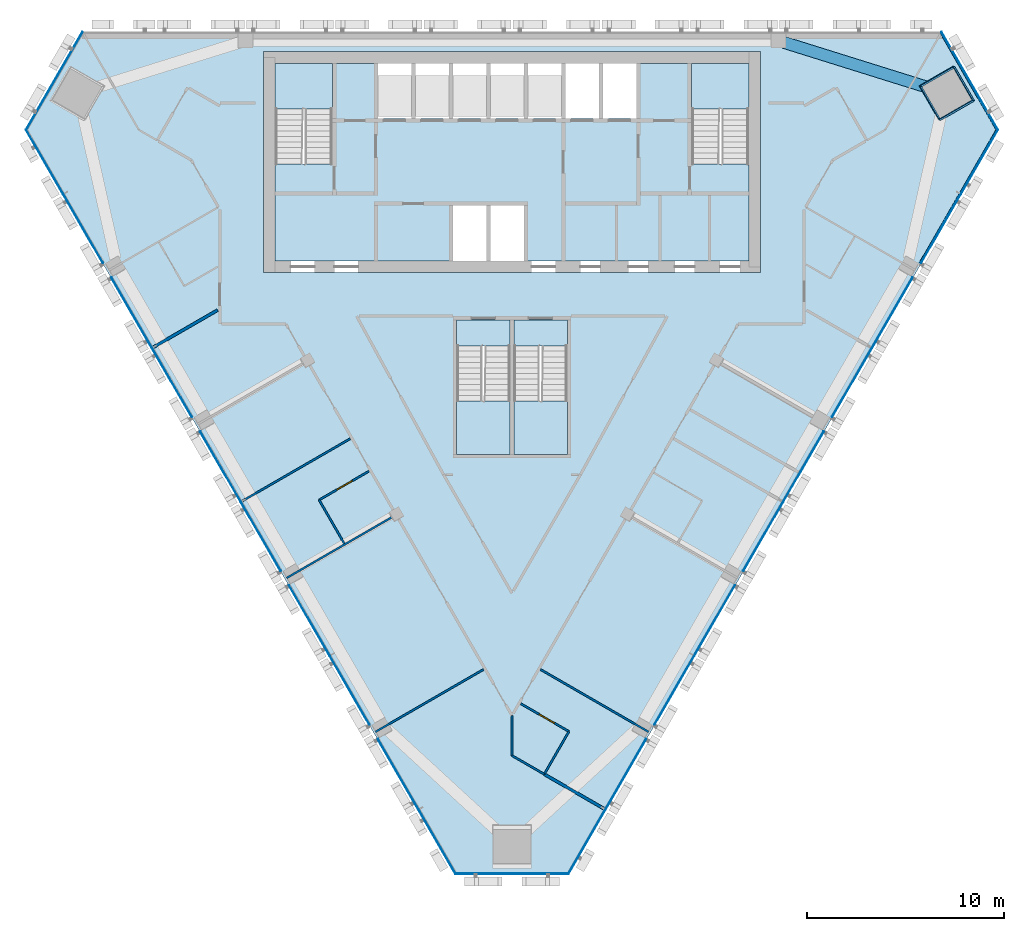
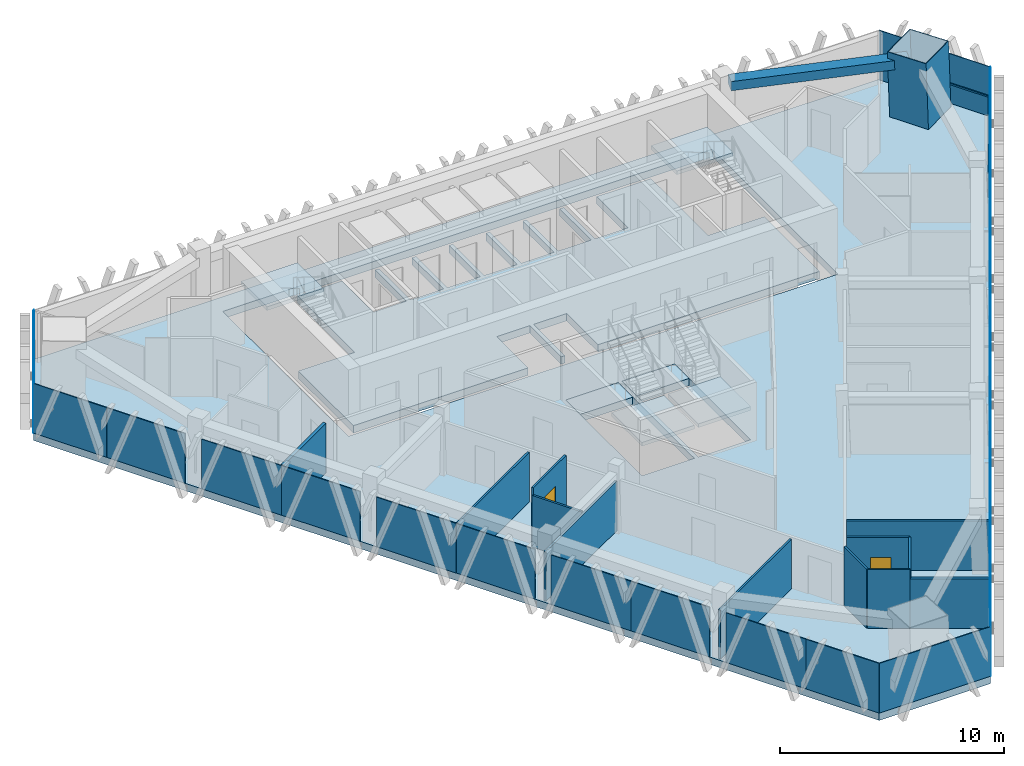
# One storey, part 7 of 14: 23 plates, 12 walls, 8 slabs, 3 members, 2 doors, 1 beam, 2 openings, 9 elements without a shape of their own.
"""IFC4 building model written with IfcOpenShell, lengths in metres."""

from ifc_helpers import new_model, si_unit, direction, frame, frame_2d, origin, origin_2d, place, context, subcontext, project, spatial, polyline, rectangle, hollow_rectangle, outline, extrude, material, layer, layer_set, material_profile, profile_set, type_object, element, fill, aggregate, save


model = new_model("IFC4")

# Units and contexts
model_context = context("Model", 3, precision=1e-05, world=origin(), true_north=direction((0.0, 1.0)))
body_context = subcontext(model_context, "Body", "Model", "MODEL_VIEW")
ifc_project = project(units=[si_unit("LENGTHUNIT", "METRE"), si_unit("AREAUNIT", "SQUARE_METRE"), si_unit("VOLUMEUNIT", "CUBIC_METRE"), si_unit("PLANEANGLEUNIT", "RADIAN"), si_unit("MASSUNIT", "GRAM", prefix="KILO")], contexts=[model_context])

# Site, building, storey
site_placement = place(None, origin())
site = spatial("IfcSite", under=ifc_project, at=site_placement, CompositionType="ELEMENT")
building_placement = place(site_placement, origin())
building = spatial("IfcBuilding", under=site, at=building_placement, Name="Altiplano Prism Tower", CompositionType="ELEMENT")
storey_placement = place(building_placement, frame((0.0, 0.0, 226.60009765625)))
storey = spatial("IfcBuildingStorey", under=building, at=storey_placement, Name="L58", CompositionType="ELEMENT", Elevation=226.60009765625)

# Curtain wall, member
ifc_material_1 = material(Name="Aluminium and glass", Category="aluminium")
ifc_layer_1 = layer(ifc_material_1, 0.280029296875)
ifc_layer_set_1 = layer_set([ifc_layer_1], Name="Aluminium and glass")
curtain_wall_type = type_object("IfcCurtainWallType", Name="CW1 typical co-living unitised curtain wall", PredefinedType="NOTDEFINED", material=ifc_layer_set_1)
curtain_wall_1_placement = place(storey_placement, origin())
curtain_wall_1 = element("IfcCurtainWall", 1, at=curtain_wall_1_placement, inside=storey, type_object=curtain_wall_type, Name="CW1 curtain wall south-east face L58", PredefinedType="NOTDEFINED")
ifc_material_2 = material(Name="Aluminium", Category="aluminium")
ifc_material_profile_1 = material_profile(ifc_material_2, rectangle(XDim=0.06005859375, YDim=0.080078125, at=origin_2d()), Name="CW1 transom 80 x 60")
ifc_profile_set_1 = profile_set([ifc_material_profile_1], Name="Aluminium")
member_type_1 = type_object("IfcMemberType", Name="CW1 transom 80 x 60", PredefinedType="USERDEFINED", material=ifc_profile_set_1)
member_1_placement = place(storey_placement, frame((105.668212890625, 93.301513671875, 1.099853515625), z_axis=(0.499985626237, 0.866033702321, 0.0), x_axis=(-0.866033702321, 0.499985626237, 0.0)))
member_1 = element("IfcMember", 2, at=member_1_placement, type_object=member_type_1, Name="CW1 transom", ObjectType="TRANSOM", PredefinedType="USERDEFINED", context=body_context, shape_type="SweptSolid", body=[
    extrude(rectangle(XDim=0.06005859375, YDim=0.080078125, at=origin_2d()), origin(), (0.0, 0.0, 1.0), 7.816162109375),
])

curtain_wall_2_placement = place(storey_placement, origin())
curtain_wall_2 = element("IfcCurtainWall", 3, at=curtain_wall_2_placement, inside=storey, type_object=curtain_wall_type, Name="CW1 curtain wall north-east chamfer L58", PredefinedType="NOTDEFINED")
member_2_placement = place(storey_placement, frame((109.576171875, 100.00048828125, 1.099853515625), z_axis=(-0.499986657325, 0.866033107044, 0.0), x_axis=(-0.866033107044, -0.499986657325, 0.0)))
member_2 = element("IfcMember", 4, at=member_2_placement, type_object=member_type_1, Name="CW1 transom", ObjectType="TRANSOM", PredefinedType="USERDEFINED", context=body_context, shape_type="SweptSolid", body=[
    extrude(rectangle(XDim=0.06005859375, YDim=0.080078125, at=origin_2d()), origin(), (0.0, 0.0, 1.0), 5.732666015625),
])

# Beam
ifc_material_3 = material(Name="Concrete C60/75", Category="concrete")
ifc_material_profile_2 = material_profile(ifc_material_3, rectangle(XDim=0.60009765625, YDim=0.5, at=origin_2d()), Name="Edge beam 600x500")
ifc_profile_set_2 = profile_set([ifc_material_profile_2], Name="Concrete C60/75")
beam_type = type_object("IfcBeamType", Name="Edge beam 600x500", PredefinedType="SPANDREL", material=ifc_profile_set_2)
beam_placement = place(storey_placement, frame((106.546142578125, 102.035400390625, 2.949951171875), z_axis=(-0.954476782576, 0.298285218412, 0.0), x_axis=(-0.298285218412, -0.954476782576, 0.0)))
element("IfcBeam", 5, at=beam_placement, inside=storey, type_object=beam_type, Name="Edge beam M2-P01 L59", PredefinedType="SPANDREL", context=body_context, shape_type="SweptSolid", body=[
    extrude(rectangle(XDim=0.60009765625, YDim=0.5, at=origin_2d()), origin(), (0.0, 0.0, 1.0), 8.156982421875),
])

# Member
ifc_material_4 = material(Name="Steel S460", Category="steel")
ifc_material_profile_3 = material_profile(ifc_material_4, hollow_rectangle(XDim=2.0, YDim=2.0, WallThickness=0.0400390625, at=origin_2d()), Name="Mega column tube 2000")
ifc_profile_set_3 = profile_set([ifc_material_profile_3], Name="Steel S460")
member_type_2 = type_object("IfcMemberType", Name="Mega column tube 2000", PredefinedType="POST", material=ifc_profile_set_3)
member_3_placement = place(storey_placement, frame((107.077880859375, 101.86767578125, 0.0), z_axis=(-0.028403721265, 0.009287135593, 0.999553389135), x_axis=(0.498883801201, -0.866383831898, 0.022226307065)))
element("IfcMember", 6, at=member_3_placement, inside=storey, type_object=member_type_2, Name="Mega column tube M2 L58", PredefinedType="POST", context=body_context, shape_type="SweptSolid", body=[
    extrude(hollow_rectangle(XDim=2.0, YDim=2.0, WallThickness=0.0400390625, at=origin_2d()), origin(), (0.0, 0.0, 1.0), 3.6015625),
])

# Curtain wall, plate
curtain_wall_3_placement = place(storey_placement, origin())
curtain_wall_3 = element("IfcCurtainWall", 7, at=curtain_wall_3_placement, inside=storey, type_object=curtain_wall_type, Name="CW1 curtain wall north-west chamfer L58", PredefinedType="NOTDEFINED")
ifc_material_5 = material(Name="Clear glass", Category="glass")
ifc_layer_2 = layer(ifc_material_5, 0.0400390625)
ifc_layer_set_2 = layer_set([ifc_layer_2], Name="Clear glass")
plate_type = type_object("IfcPlateType", Name="CW1 insulated glass unit 40", PredefinedType="CURTAIN_PANEL", material=ifc_layer_set_2)
plate_1_placement = place(storey_placement, frame((61.8134765625, 102.5078125, 0.0), z_axis=(0.0, 0.0, 1.0), x_axis=(-0.499999994982, -0.866025406682, 0.0)))
plate_1 = element("IfcPlate", 8, at=plate_1_placement, type_object=plate_type, Name="CW1 panel", PredefinedType="CURTAIN_PANEL", context=body_context, shape_type="SweptSolid", body=[
    extrude(rectangle(XDim=5.722412109375, YDim=0.0400390625, at=origin_2d()), origin(), (0.0, 0.0, 1.0), 2.699951171875),
])
aggregate(curtain_wall_3, [plate_1])

# Curtain wall, plates
curtain_wall_4_placement = place(storey_placement, origin())
curtain_wall_4 = element("IfcCurtainWall", 9, at=curtain_wall_4_placement, inside=storey, type_object=curtain_wall_type, Name="CW1 curtain wall south-west face L58", PredefinedType="NOTDEFINED")
plate_2_placement = place(storey_placement, frame((61.322998046875, 98.412841796875, 0.0), z_axis=(0.0, 0.0, 1.0), x_axis=(0.500000003567, -0.866025401725, 0.0)))
plate_2 = element("IfcPlate", 10, at=plate_2_placement, type_object=plate_type, Name="CW1 panel", PredefinedType="CURTAIN_PANEL", context=body_context, shape_type="SweptSolid", body=[
    extrude(rectangle(XDim=3.7607421875, YDim=0.0400390625, at=origin_2d()), origin(), (0.0, 0.0, 1.0), 2.699951171875),
])
plate_3_placement = place(storey_placement, frame((63.277099609375, 95.0283203125, 0.0), z_axis=(0.0, 0.0, 1.0), x_axis=(0.500000003567, -0.866025401725, 0.0)))
plate_3 = element("IfcPlate", 11, at=plate_3_placement, type_object=plate_type, Name="CW1 panel", PredefinedType="CURTAIN_PANEL", context=body_context, shape_type="SweptSolid", body=[
    extrude(rectangle(XDim=4.035400390625, YDim=0.0400390625, at=origin_2d()), origin(), (0.0, 0.0, 1.0), 2.699951171875),
])
plate_4_placement = place(storey_placement, frame((65.734619140625, 90.771728515625, 0.0), z_axis=(0.0, 0.0, 1.0), x_axis=(0.500000003567, -0.866025401725, 0.0)))
plate_4 = element("IfcPlate", 12, at=plate_4_placement, type_object=plate_type, Name="CW1 panel", PredefinedType="CURTAIN_PANEL", context=body_context, shape_type="SweptSolid", body=[
    extrude(rectangle(XDim=4.114501953125, YDim=0.0400390625, at=origin_2d()), origin(), (0.0, 0.0, 1.0), 2.699951171875),
])
plate_5_placement = place(storey_placement, frame((67.777099609375, 87.234130859375, 0.0), z_axis=(0.0, 0.0, 1.0), x_axis=(0.500000003567, -0.866025401725, 0.0)))
plate_5 = element("IfcPlate", 13, at=plate_5_placement, type_object=plate_type, Name="CW1 panel", PredefinedType="CURTAIN_PANEL", context=body_context, shape_type="SweptSolid", body=[
    extrude(rectangle(XDim=4.035400390625, YDim=0.0400390625, at=origin_2d()), origin(), (0.0, 0.0, 1.0), 2.699951171875),
])
plate_6_placement = place(storey_placement, frame((70.234619140625, 82.9775390625, 0.0), z_axis=(0.0, 0.0, 1.0), x_axis=(0.500000003567, -0.866025401725, 0.0)))
plate_6 = element("IfcPlate", 14, at=plate_6_placement, type_object=plate_type, Name="CW1 panel", PredefinedType="CURTAIN_PANEL", context=body_context, shape_type="SweptSolid", body=[
    extrude(rectangle(XDim=4.114501953125, YDim=0.0400390625, at=origin_2d()), origin(), (0.0, 0.0, 1.0), 2.699951171875),
])
plate_7_placement = place(storey_placement, frame((72.277099609375, 79.43994140625, 0.0), z_axis=(0.0, 0.0, 1.0), x_axis=(0.500000003567, -0.866025401725, 0.0)))
plate_7 = element("IfcPlate", 15, at=plate_7_placement, type_object=plate_type, Name="CW1 panel", PredefinedType="CURTAIN_PANEL", context=body_context, shape_type="SweptSolid", body=[
    extrude(rectangle(XDim=4.035400390625, YDim=0.0400390625, at=origin_2d()), origin(), (0.0, 0.0, 1.0), 2.699951171875),
])
plate_8_placement = place(storey_placement, frame((74.734619140625, 75.183349609375, 0.0), z_axis=(0.0, 0.0, 1.0), x_axis=(0.500000003567, -0.866025401725, 0.0)))
plate_8 = element("IfcPlate", 16, at=plate_8_placement, type_object=plate_type, Name="CW1 panel", PredefinedType="CURTAIN_PANEL", context=body_context, shape_type="SweptSolid", body=[
    extrude(rectangle(XDim=4.114501953125, YDim=0.0400390625, at=origin_2d()), origin(), (0.0, 0.0, 1.0), 2.699951171875),
])
plate_9_placement = place(storey_placement, frame((76.777099609375, 71.645751953125, 0.0), z_axis=(0.0, 0.0, 1.0), x_axis=(0.500000003567, -0.866025401725, 0.0)))
plate_9 = element("IfcPlate", 17, at=plate_9_placement, type_object=plate_type, Name="CW1 panel", PredefinedType="CURTAIN_PANEL", context=body_context, shape_type="SweptSolid", body=[
    extrude(rectangle(XDim=4.035400390625, YDim=0.0400390625, at=origin_2d()), origin(), (0.0, 0.0, 1.0), 2.699951171875),
])
plate_10_placement = place(storey_placement, frame((79.234619140625, 67.38916015625, 0.0), z_axis=(0.0, 0.0, 1.0), x_axis=(0.500000003567, -0.866025401725, 0.0)))
plate_10 = element("IfcPlate", 18, at=plate_10_placement, type_object=plate_type, Name="CW1 panel", PredefinedType="CURTAIN_PANEL", context=body_context, shape_type="SweptSolid", body=[
    extrude(rectangle(XDim=4.114501953125, YDim=0.0400390625, at=origin_2d()), origin(), (0.0, 0.0, 1.0), 2.699951171875),
])
plate_11_placement = place(storey_placement, frame((81.20849609375, 63.970458984375, 0.0), z_axis=(0.0, 0.0, 1.0), x_axis=(0.500000003567, -0.866025401725, 0.0)))
plate_11 = element("IfcPlate", 19, at=plate_11_placement, type_object=plate_type, Name="CW1 panel", PredefinedType="CURTAIN_PANEL", context=body_context, shape_type="SweptSolid", body=[
    extrude(rectangle(XDim=3.7607421875, YDim=0.0400390625, at=origin_2d()), origin(), (0.0, 0.0, 1.0), 2.699951171875),
])
aggregate(curtain_wall_4, [plate_2, plate_3, plate_4, plate_5, plate_6, plate_7, plate_8, plate_9, plate_10, plate_11])

# Curtain wall, plate
curtain_wall_5_placement = place(storey_placement, origin())
curtain_wall_5 = element("IfcCurtainWall", 20, at=curtain_wall_5_placement, inside=storey, type_object=curtain_wall_type, Name="CW1 curtain wall south chamfer L58", PredefinedType="NOTDEFINED")
plate_12_placement = place(storey_placement, frame((85.0, 62.34765625, 0.0), z_axis=(0.0, 0.0, 1.0), x_axis=(1.0, 0.0, 0.0)))
plate_12 = element("IfcPlate", 21, at=plate_12_placement, type_object=plate_type, Name="CW1 panel", PredefinedType="CURTAIN_PANEL", context=body_context, shape_type="SweptSolid", body=[
    extrude(rectangle(XDim=5.722412109375, YDim=0.0400390625, at=origin_2d()), origin(), (0.0, 0.0, 1.0), 2.699951171875),
])
aggregate(curtain_wall_5, [plate_12])

# Plate
plate_13_placement = place(storey_placement, frame((88.79150390625, 63.970458984375, 0.0), z_axis=(0.0, 0.0, 1.0), x_axis=(0.500000003567, 0.866025401725, 0.0)))
plate_13 = element("IfcPlate", 22, at=plate_13_placement, type_object=plate_type, Name="CW1 panel", PredefinedType="CURTAIN_PANEL", context=body_context, shape_type="SweptSolid", body=[
    extrude(rectangle(XDim=3.7607421875, YDim=0.0400390625, at=origin_2d()), origin(), (0.0, 0.0, 1.0), 2.699951171875),
])

plate_14_placement = place(storey_placement, frame((90.765380859375, 67.38916015625, 0.0), z_axis=(0.0, 0.0, 1.0), x_axis=(0.500000003567, 0.866025401725, 0.0)))
plate_14 = element("IfcPlate", 23, at=plate_14_placement, type_object=plate_type, Name="CW1 panel", PredefinedType="CURTAIN_PANEL", context=body_context, shape_type="SweptSolid", body=[
    extrude(rectangle(XDim=4.114501953125, YDim=0.0400390625, at=origin_2d()), origin(), (0.0, 0.0, 1.0), 2.699951171875),
])

plate_15_placement = place(storey_placement, frame((93.222900390625, 71.645751953125, 0.0), z_axis=(0.0, 0.0, 1.0), x_axis=(0.500000003567, 0.866025401725, 0.0)))
plate_15 = element("IfcPlate", 24, at=plate_15_placement, type_object=plate_type, Name="CW1 panel", PredefinedType="CURTAIN_PANEL", context=body_context, shape_type="SweptSolid", body=[
    extrude(rectangle(XDim=4.035400390625, YDim=0.0400390625, at=origin_2d()), origin(), (0.0, 0.0, 1.0), 2.699951171875),
])

plate_16_placement = place(storey_placement, frame((95.265380859375, 75.183349609375, 0.0), z_axis=(0.0, 0.0, 1.0), x_axis=(0.500000003567, 0.866025401725, 0.0)))
plate_16 = element("IfcPlate", 25, at=plate_16_placement, type_object=plate_type, Name="CW1 panel", PredefinedType="CURTAIN_PANEL", context=body_context, shape_type="SweptSolid", body=[
    extrude(rectangle(XDim=4.114501953125, YDim=0.0400390625, at=origin_2d()), origin(), (0.0, 0.0, 1.0), 2.699951171875),
])

plate_17_placement = place(storey_placement, frame((97.722900390625, 79.43994140625, 0.0), z_axis=(0.0, 0.0, 1.0), x_axis=(0.500000003567, 0.866025401725, 0.0)))
plate_17 = element("IfcPlate", 26, at=plate_17_placement, type_object=plate_type, Name="CW1 panel", PredefinedType="CURTAIN_PANEL", context=body_context, shape_type="SweptSolid", body=[
    extrude(rectangle(XDim=4.035400390625, YDim=0.0400390625, at=origin_2d()), origin(), (0.0, 0.0, 1.0), 2.699951171875),
])

plate_18_placement = place(storey_placement, frame((99.765380859375, 82.9775390625, 0.0), z_axis=(0.0, 0.0, 1.0), x_axis=(0.500000003567, 0.866025401725, 0.0)))
plate_18 = element("IfcPlate", 27, at=plate_18_placement, type_object=plate_type, Name="CW1 panel", PredefinedType="CURTAIN_PANEL", context=body_context, shape_type="SweptSolid", body=[
    extrude(rectangle(XDim=4.114501953125, YDim=0.0400390625, at=origin_2d()), origin(), (0.0, 0.0, 1.0), 2.699951171875),
])

plate_19_placement = place(storey_placement, frame((102.222900390625, 87.234130859375, 0.0), z_axis=(0.0, 0.0, 1.0), x_axis=(0.500000003567, 0.866025401725, 0.0)))
plate_19 = element("IfcPlate", 28, at=plate_19_placement, type_object=plate_type, Name="CW1 panel", PredefinedType="CURTAIN_PANEL", context=body_context, shape_type="SweptSolid", body=[
    extrude(rectangle(XDim=4.035400390625, YDim=0.0400390625, at=origin_2d()), origin(), (0.0, 0.0, 1.0), 2.699951171875),
])

plate_20_placement = place(storey_placement, frame((104.265380859375, 90.771728515625, 0.0), z_axis=(0.0, 0.0, 1.0), x_axis=(0.500000003567, 0.866025401725, 0.0)))
plate_20 = element("IfcPlate", 29, at=plate_20_placement, type_object=plate_type, Name="CW1 panel", PredefinedType="CURTAIN_PANEL", context=body_context, shape_type="SweptSolid", body=[
    extrude(rectangle(XDim=4.114501953125, YDim=0.0400390625, at=origin_2d()), origin(), (0.0, 0.0, 1.0), 2.699951171875),
])

plate_21_placement = place(storey_placement, frame((106.722900390625, 95.0283203125, 0.0), z_axis=(0.0, 0.0, 1.0), x_axis=(0.500000003567, 0.866025401725, 0.0)))
plate_21 = element("IfcPlate", 30, at=plate_21_placement, type_object=plate_type, Name="CW1 panel", PredefinedType="CURTAIN_PANEL", context=body_context, shape_type="SweptSolid", body=[
    extrude(rectangle(XDim=4.035400390625, YDim=0.0400390625, at=origin_2d()), origin(), (0.0, 0.0, 1.0), 2.699951171875),
])

plate_22_placement = place(storey_placement, frame((108.677001953125, 98.412841796875, 0.0), z_axis=(0.0, 0.0, 1.0), x_axis=(0.500000003567, 0.866025401725, 0.0)))
plate_22 = element("IfcPlate", 31, at=plate_22_placement, type_object=plate_type, Name="CW1 panel", PredefinedType="CURTAIN_PANEL", context=body_context, shape_type="SweptSolid", body=[
    extrude(rectangle(XDim=3.7607421875, YDim=0.0400390625, at=origin_2d()), origin(), (0.0, 0.0, 1.0), 2.699951171875),
])

aggregate(curtain_wall_1, [plate_13, plate_14, plate_15, plate_16, plate_17, plate_18, plate_19, plate_20, member_1, plate_21, plate_22])

plate_23_placement = place(storey_placement, frame((108.1865234375, 102.5078125, 0.0), z_axis=(0.0, 0.0, 1.0), x_axis=(-0.499999994982, 0.866025406682, 0.0)))
plate_23 = element("IfcPlate", 32, at=plate_23_placement, type_object=plate_type, Name="CW1 panel", PredefinedType="CURTAIN_PANEL", context=body_context, shape_type="SweptSolid", body=[
    extrude(rectangle(XDim=5.722412109375, YDim=0.0400390625, at=origin_2d()), origin(), (0.0, 0.0, 1.0), 2.699951171875),
])

aggregate(curtain_wall_2, [member_2, plate_23])

# Slabs
ifc_material_6 = material(Name="Concrete C40/50", Category="concrete")
ifc_layer_3 = layer(ifc_material_6, 0.39990234375)
ifc_layer_set_3 = layer_set([ifc_layer_3], Name="Concrete C40/50")
slab_type_1 = type_object("IfcSlabType", Name="Core floor slab 400", PredefinedType="FLOOR", material=ifc_layer_set_3)
slab_1_placement = place(storey_placement, frame((0.0, 0.0, -0.400146484375)))
element("IfcSlab", 33, at=slab_1_placement, inside=storey, type_object=slab_type_1, Name="Core floor slab L58", PredefinedType="FLOOR", context=body_context, shape_type="SweptSolid", body=[
    extrude(outline(polyline([(97.0, 98.31005859375), (94.10009765625, 98.31005859375), (94.10009765625, 103.39990234375), (91.300048828125, 103.39990234375), (91.300048828125, 100.60009765625), (89.60009765625, 100.60009765625), (89.60009765625, 103.39990234375), (89.39990234375, 103.39990234375), (89.39990234375, 100.60009765625), (87.699951171875, 100.60009765625), (87.699951171875, 103.39990234375), (87.5, 103.39990234375), (87.5, 100.60009765625), (85.800048828125, 100.60009765625), (85.800048828125, 103.39990234375), (85.60009765625, 103.39990234375), (85.60009765625, 100.60009765625), (83.89990234375, 100.60009765625), (83.89990234375, 103.39990234375), (83.699951171875, 103.39990234375), (83.699951171875, 100.60009765625), (82.0, 100.60009765625), (82.0, 103.39990234375), (81.800048828125, 103.39990234375), (81.800048828125, 100.60009765625), (80.10009765625, 100.60009765625), (80.10009765625, 103.39990234375), (79.89990234375, 103.39990234375), (79.89990234375, 100.60009765625), (78.199951171875, 100.60009765625), (78.199951171875, 103.39990234375), (75.89990234375, 103.39990234375), (75.89990234375, 98.31005859375), (73.0, 98.31005859375), (73.0, 93.39990234375), (82.0, 93.39990234375), (82.0, 96.199951171875), (83.699951171875, 96.199951171875), (83.699951171875, 93.39990234375), (83.89990234375, 93.39990234375), (83.89990234375, 96.199951171875), (85.60009765625, 96.199951171875), (85.60009765625, 93.39990234375), (97.0, 93.39990234375), (97.0, 98.31005859375)])), origin(), (0.0, 0.0, 1.0), 0.400146484375),
])
slab_2_placement = place(storey_placement, frame((0.0, 0.0, -0.400146484375)))
element("IfcSlab", 34, at=slab_2_placement, inside=storey, type_object=slab_type_1, Name="Stair 3A landing slab L58", PredefinedType="FLOOR", context=body_context, shape_type="SweptSolid", body=[
    extrude(outline(polyline([(82.199951171875, 89.096923828125), (84.89990234375, 89.096923828125), (84.89990234375, 90.39990234375), (82.199951171875, 90.39990234375), (82.199951171875, 89.096923828125)])), origin(), (0.0, 0.0, 1.0), 0.400146484375),
])
slab_3_placement = place(storey_placement, frame((0.0, 0.0, -0.400146484375)))
element("IfcSlab", 35, at=slab_3_placement, inside=storey, type_object=slab_type_1, Name="Stair 3B landing slab L58", PredefinedType="FLOOR", context=body_context, shape_type="SweptSolid", body=[
    extrude(outline(polyline([(85.10009765625, 89.096923828125), (87.800048828125, 89.096923828125), (87.800048828125, 90.39990234375), (85.10009765625, 90.39990234375), (85.10009765625, 89.096923828125)])), origin(), (0.0, 0.0, 1.0), 0.400146484375),
])
ifc_layer_4 = layer(ifc_material_6, 0.39990234375)
ifc_layer_set_4 = layer_set([ifc_layer_4], Name="Concrete C40/50")
slab_type_2 = type_object("IfcSlabType", Name="Post-tensioned flat slab 400", PredefinedType="FLOOR", material=ifc_layer_set_4)
slab_4_placement = place(storey_placement, frame((0.0, 0.0, -0.400146484375)))
element("IfcSlab", 36, at=slab_4_placement, inside=storey, type_object=slab_type_2, Name="Floor slab L58", PredefinedType="FLOOR", context=body_context, shape_type="SweptSolid", body=[
    extrude(outline(polyline([(82.1337890625, 62.32763671875), (60.363037109375, 100.03564453125), (63.229248046875, 105.0), (106.770751953125, 105.0), (109.636962890625, 100.03564453125), (87.8662109375, 62.32763671875), (82.1337890625, 62.32763671875)]), holes=[polyline([(72.39990234375, 104.0), (72.39990234375, 92.800048828125), (97.60009765625, 92.800048828125), (97.60009765625, 104.0), (72.39990234375, 104.0)]), polyline([(84.89990234375, 90.39990234375), (82.199951171875, 90.39990234375), (82.199951171875, 83.60009765625), (84.89990234375, 83.60009765625), (84.89990234375, 90.39990234375)]), polyline([(87.800048828125, 83.60009765625), (87.800048828125, 90.39990234375), (85.10009765625, 90.39990234375), (85.10009765625, 83.60009765625), (87.800048828125, 83.60009765625)])]), origin(), (0.0, 0.0, 1.0), 0.400146484375),
])

# Stair, slab
stair_type_1 = type_object("IfcStairType", Name="Exit stair 1400", PredefinedType="HALF_TURN_STAIR", material=ifc_material_6)
stair_1_placement = place(storey_placement, origin())
stair_1 = element("IfcStair", 37, at=stair_1_placement, inside=storey, type_object=stair_type_1, Name="L58 Exit Stair 1", PredefinedType="HALF_TURN_STAIR")
ifc_layer_5 = layer(ifc_material_6, 0.199951171875)
ifc_layer_set_5 = layer_set([ifc_layer_5], Name="Concrete C40/50")
slab_type_3 = type_object("IfcSlabType", Name="Stair landing 200", PredefinedType="LANDING", material=ifc_layer_set_5)
slab_5_placement = place(storey_placement, frame((0.0, 0.0, 1.599853515625)))
slab_5 = element("IfcSlab", 38, at=slab_5_placement, type_object=slab_type_3, Name="ST1 landing 1", PredefinedType="LANDING", context=body_context, shape_type="SweptSolid", body=[
    extrude(outline(polyline([(75.89990234375, 101.096923828125), (75.89990234375, 103.39990234375), (73.0, 103.39990234375), (73.0, 101.096923828125), (75.89990234375, 101.096923828125)])), origin(), (0.0, 0.0, 1.0), 0.199951171875),
])
aggregate(stair_1, [slab_5])

stair_2_placement = place(storey_placement, origin())
stair_2 = element("IfcStair", 39, at=stair_2_placement, inside=storey, type_object=stair_type_1, Name="L58 Exit Stair 2", PredefinedType="HALF_TURN_STAIR")
slab_6_placement = place(storey_placement, frame((0.0, 0.0, 1.599853515625)))
slab_6 = element("IfcSlab", 40, at=slab_6_placement, type_object=slab_type_3, Name="ST2 landing 1", PredefinedType="LANDING", context=body_context, shape_type="SweptSolid", body=[
    extrude(outline(polyline([(97.0, 101.096923828125), (97.0, 103.39990234375), (94.10009765625, 103.39990234375), (94.10009765625, 101.096923828125), (97.0, 101.096923828125)])), origin(), (0.0, 0.0, 1.0), 0.199951171875),
])
aggregate(stair_2, [slab_6])

stair_type_2 = type_object("IfcStairType", Name="Exit stair 1300", PredefinedType="HALF_TURN_STAIR", material=ifc_material_6)
stair_3_placement = place(storey_placement, origin())
stair_3 = element("IfcStair", 41, at=stair_3_placement, inside=storey, type_object=stair_type_2, Name="L58 Exit Stair 3A", PredefinedType="HALF_TURN_STAIR")
slab_7_placement = place(storey_placement, frame((0.0, 0.0, 1.599853515625)))
slab_7 = element("IfcSlab", 42, at=slab_7_placement, type_object=slab_type_3, Name="ST3A landing 1", PredefinedType="LANDING", context=body_context, shape_type="SweptSolid", body=[
    extrude(outline(polyline([(82.199951171875, 86.302978515625), (82.199951171875, 83.60009765625), (84.89990234375, 83.60009765625), (84.89990234375, 86.302978515625), (82.199951171875, 86.302978515625)])), origin(), (0.0, 0.0, 1.0), 0.199951171875),
])
aggregate(stair_3, [slab_7])

stair_4_placement = place(storey_placement, origin())
stair_4 = element("IfcStair", 43, at=stair_4_placement, inside=storey, type_object=stair_type_2, Name="L58 Exit Stair 3B", PredefinedType="HALF_TURN_STAIR")
slab_8_placement = place(storey_placement, frame((0.0, 0.0, 1.599853515625)))
slab_8 = element("IfcSlab", 44, at=slab_8_placement, type_object=slab_type_3, Name="ST3B landing 1", PredefinedType="LANDING", context=body_context, shape_type="SweptSolid", body=[
    extrude(outline(polyline([(85.10009765625, 86.302978515625), (85.10009765625, 83.60009765625), (87.800048828125, 83.60009765625), (87.800048828125, 86.302978515625), (85.10009765625, 86.302978515625)])), origin(), (0.0, 0.0, 1.0), 0.199951171875),
])
aggregate(stair_4, [slab_8])

# Wall
ifc_material_7 = material(Name="Plasterboard on steel stud", Category="steel")
ifc_layer_6 = layer(ifc_material_7, 0.10009765625)
ifc_layer_set_6 = layer_set([ifc_layer_6], Name="Plasterboard on steel stud")
wall_type_1 = type_object("IfcWallType", Name="Partition 100 unit", PredefinedType="PARTITIONING", material=ifc_layer_set_6)
wall_1_placement = place(storey_placement, frame((76.504638671875, 79.077880859375, 0.0), z_axis=(0.0, 0.0, 1.0), x_axis=(-0.500062241894, 0.865989465428, 0.0)))
element("IfcWall", 45, at=wall_1_placement, inside=storey, type_object=wall_type_1, Name="Partition P02 L58 033", PredefinedType="PARTITIONING", context=body_context, shape_type="SweptSolid", body=[
    extrude(rectangle(XDim=2.550048828125, YDim=0.10009765625, at=frame_2d((1.27490234375, 0.0))), origin(), (0.0, 0.0, 1.0), 2.7998046875),
])

# Wall, opening, door
wall_2_placement = place(storey_placement, frame((75.2294921875, 81.2861328125, 0.0), z_axis=(0.0, 0.0, 1.0), x_axis=(0.86601045545, 0.500025890382, 0.0)))
wall_2 = element("IfcWall", 46, at=wall_2_placement, inside=storey, type_object=wall_type_1, Name="Partition P02 L58 034", PredefinedType="PARTITIONING", context=body_context, shape_type="SweptSolid", body=[
    extrude(rectangle(XDim=2.925048828125, YDim=0.10009765625, at=frame_2d((1.46240234375, 0.0))), origin(), (0.0, 0.0, 1.0), 3.199951171875),
])
opening_1_placement = place(wall_2_placement, frame((1.050048828125, 0.0, 0.0)))
opening_1 = element("IfcOpeningElement", 47, at=opening_1_placement, cuts=wall_2, Name="Opening D1932", PredefinedType="OPENING", context=body_context, shape_type="SweptSolid", body=[
    extrude(rectangle(XDim=0.89990234375, YDim=2.10009765625, at=frame_2d((0.449951171875, 1.050048828125))), frame((0.0, 0.060546875, 0.0), z_axis=(0.0, -1.0, 0.0), x_axis=(1.0, 0.0, 0.0)), (0.0, 0.0, 1.0), 0.12109375),
])
ifc_material_8 = material(Name="Timber", Category="wood")
door_type = type_object("IfcDoorType", Name="Ensuite door 900 x 2100", OperationType="NOTDEFINED", PredefinedType="NOTDEFINED", material=ifc_material_8)
door_1_placement = place(opening_1_placement, origin())
door_1 = element("IfcDoor", 48, at=door_1_placement, inside=storey, type_object=door_type, Name="Door D1932", OperationType="SINGLE_SWING_LEFT", OverallHeight=2.10009765625, OverallWidth=0.89990234375, PredefinedType="NOTDEFINED", context=body_context, shape_type="SweptSolid", body=[
    extrude(rectangle(XDim=0.89990234375, YDim=2.10009765625, at=frame_2d((0.449951171875, 1.050048828125))), frame((0.0, 0.02490234375, 0.0), z_axis=(0.0, -1.0, 0.0), x_axis=(1.0, 0.0, 0.0)), (0.0, 0.0, 1.0), 0.050048828125),
])
fill(opening_1, door_1)

wall_3_placement = place(storey_placement, frame((85.437255859375, 70.970703125, 0.0), z_axis=(0.0, 0.0, 1.0), x_axis=(0.866011447264, -0.500024172624, 0.0)))
wall_3 = element("IfcWall", 49, at=wall_3_placement, inside=storey, type_object=wall_type_1, Name="Partition P02 L58 040", PredefinedType="PARTITIONING", context=body_context, shape_type="SweptSolid", body=[
    extrude(rectangle(XDim=2.824951171875, YDim=0.10009765625, at=frame_2d((1.41259765625, 0.0))), origin(), (0.0, 0.0, 1.0), 3.199951171875),
])
opening_2_placement = place(wall_3_placement, frame((1.0810546875, 0.0, 0.0)))
opening_2 = element("IfcOpeningElement", 50, at=opening_2_placement, cuts=wall_3, Name="Opening D1936", PredefinedType="OPENING", context=body_context, shape_type="SweptSolid", body=[
    extrude(rectangle(XDim=0.89990234375, YDim=2.10009765625, at=frame_2d((0.449951171875, 1.050048828125))), frame((0.0, 0.060546875, 0.0), z_axis=(0.0, -1.0, 0.0), x_axis=(1.0, 0.0, 0.0)), (0.0, 0.0, 1.0), 0.12109375),
])
door_2_placement = place(opening_2_placement, origin())
door_2 = element("IfcDoor", 51, at=door_2_placement, inside=storey, type_object=door_type, Name="Door D1936", OperationType="SINGLE_SWING_RIGHT", OverallHeight=2.10009765625, OverallWidth=0.89990234375, PredefinedType="NOTDEFINED", context=body_context, shape_type="SweptSolid", body=[
    extrude(rectangle(XDim=0.89990234375, YDim=2.10009765625, at=frame_2d((0.449951171875, 1.050048828125))), frame((0.0, 0.02490234375, 0.0), z_axis=(0.0, -1.0, 0.0), x_axis=(1.0, 0.0, 0.0)), (0.0, 0.0, 1.0), 0.050048828125),
])
fill(opening_2, door_2)

# Walls
wall_4_placement = place(storey_placement, frame((87.8837890625, 69.55810546875, 0.0), z_axis=(0.0, 0.0, 1.0), x_axis=(-0.500004234368, -0.866022959057, 0.0)))
element("IfcWall", 52, at=wall_4_placement, inside=storey, type_object=wall_type_1, Name="Partition P02 L58 041", PredefinedType="PARTITIONING", context=body_context, shape_type="SweptSolid", body=[
    extrude(rectangle(XDim=2.5, YDim=0.10009765625, at=frame_2d((1.25, 0.0))), origin(), (0.0, 0.0, 1.0), 3.199951171875),
])
ifc_layer_7 = layer(ifc_material_7, 0.10009765625)
ifc_layer_set_7 = layer_set([ifc_layer_7], Name="Plasterboard on steel stud")
wall_type_2 = type_object("IfcWallType", Name="Partition 100 wet", PredefinedType="PARTITIONING", material=ifc_layer_set_7)
wall_5_placement = place(storey_placement, frame((71.317626953125, 81.221435546875, 0.0), z_axis=(0.0, 0.0, 1.0), x_axis=(0.866025401434, 0.500000004071, 0.0)))
element("IfcWall", 53, at=wall_5_placement, inside=storey, type_object=wall_type_2, Name="Partition P03 L58 032", PredefinedType="PARTITIONING", context=body_context, shape_type="SweptSolid", body=[
    extrude(rectangle(XDim=6.34521484375, YDim=0.10009765625, at=frame_2d((3.172607421875, 0.0))), origin(), (0.0, 0.0, 1.0), 2.699951171875),
])
for number, where, z_axis, x_axis, name in (
    (54, (73.5849609375, 77.33447265625, 0.0), (0.0, 0.0, 1.0), (0.866025537322, 0.499999768706, 0.0), "Partition P03 L58 035"),
    (55, (78.0849609375, 69.540283203125, 0.0), (0.0, 0.0, 1.0), (0.866025537322, 0.499999768706, 0.0), "Partition P03 L58 036"),
):
    element("IfcWall", number, at=place(storey_placement, frame(where, z_axis=z_axis, x_axis=x_axis)), inside=storey, type_object=wall_type_2, Name=name, PredefinedType="PARTITIONING", context=body_context, shape_type="SweptSolid", body=[
        extrude(rectangle(XDim=6.3251953125, YDim=0.10009765625, at=frame_2d((3.16259765625, 0.0))), origin(), (0.0, 0.0, 1.0), 2.699951171875),
    ])
wall_6_placement = place(storey_placement, frame((86.6337890625, 67.39306640625, 0.0), z_axis=(0.0, 0.0, 1.0), x_axis=(-0.866004557827, 0.500036104519, 0.0)))
element("IfcWall", 56, at=wall_6_placement, inside=storey, type_object=wall_type_2, Name="Partition P03 L58 038", PredefinedType="PARTITIONING", context=body_context, shape_type="SweptSolid", body=[
    extrude(rectangle(XDim=1.886474609375, YDim=0.10009765625, at=frame_2d((0.943359375, 0.0))), origin(), (0.0, 0.0, 1.0), 3.199951171875),
])
wall_7_placement = place(storey_placement, frame((85.0, 68.33642578125, 0.0), z_axis=(0.0, 0.0, 1.0), x_axis=(0.0, 1.0, 0.0)))
element("IfcWall", 57, at=wall_7_placement, inside=storey, type_object=wall_type_2, Name="Partition P03 L58 039", PredefinedType="PARTITIONING", context=body_context, shape_type="SweptSolid", body=[
    extrude(rectangle(XDim=2.02685546875, YDim=0.10009765625, at=frame_2d((1.013427734375, 0.0))), origin(), (0.0, 0.0, 1.0), 3.199951171875),
])
wall_8_placement = place(storey_placement, frame((91.9150390625, 69.540283203125, 0.0), z_axis=(0.0, 0.0, 1.0), x_axis=(-0.866025537322, 0.499999768706, 0.0)))
element("IfcWall", 58, at=wall_8_placement, inside=storey, type_object=wall_type_2, Name="Partition P03 L58 042", PredefinedType="PARTITIONING", context=body_context, shape_type="SweptSolid", body=[
    extrude(rectangle(XDim=6.3251953125, YDim=0.10009765625, at=frame_2d((3.16259765625, 0.0))), origin(), (0.0, 0.0, 1.0), 2.699951171875),
])
ifc_layer_8 = layer(ifc_material_7, 0.14990234375)
ifc_layer_set_8 = layer_set([ifc_layer_8], Name="Plasterboard on steel stud")
wall_type_3 = type_object("IfcWallType", Name="Partition 150 party", PredefinedType="PARTITIONING", material=ifc_layer_set_8)
wall_9_placement = place(storey_placement, frame((66.817626953125, 89.015625, 0.0), z_axis=(0.0, 0.0, 1.0), x_axis=(0.866010064159, 0.500026568069, 0.0)))
element("IfcWall", 59, at=wall_9_placement, inside=storey, type_object=wall_type_3, Name="Partition P01 L58 030", PredefinedType="PARTITIONING", context=body_context, shape_type="SweptSolid", body=[
    extrude(rectangle(XDim=3.775634765625, YDim=0.14990234375, at=frame_2d((1.8876953125, 0.0))), origin(), (0.0, 0.0, 1.0), 2.699951171875),
])
wall_10_placement = place(storey_placement, frame((89.682373046875, 65.633056640625, 0.0), z_axis=(0.0, 0.0, 1.0), x_axis=(-0.866036599697, 0.499980607609, 0.0)))
element("IfcWall", 60, at=wall_10_placement, inside=storey, type_object=wall_type_3, Name="Partition P01 L58 037", PredefinedType="PARTITIONING", context=body_context, shape_type="SweptSolid", body=[
    extrude(rectangle(XDim=3.520263671875, YDim=0.14990234375, at=frame_2d((1.76025390625, 0.0))), origin(), (0.0, 0.0, 1.0), 2.699951171875),
])

save(model, "model.ifc")
